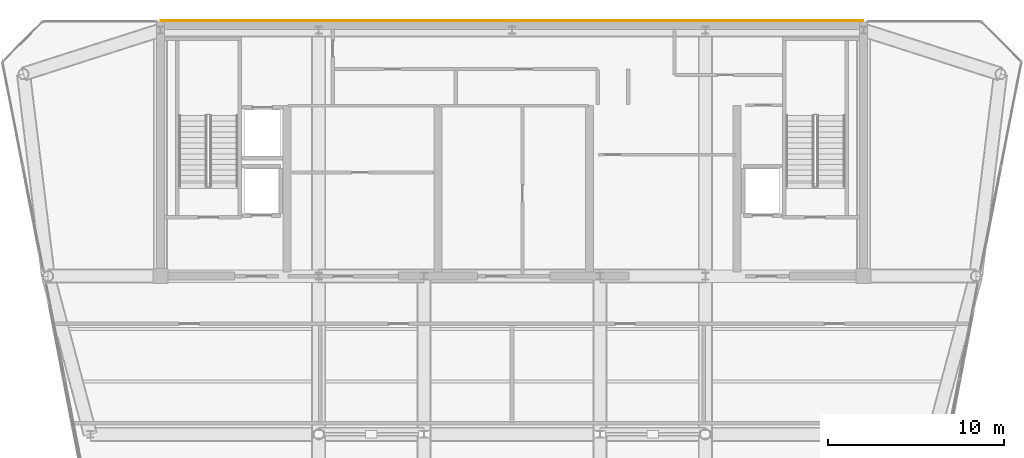
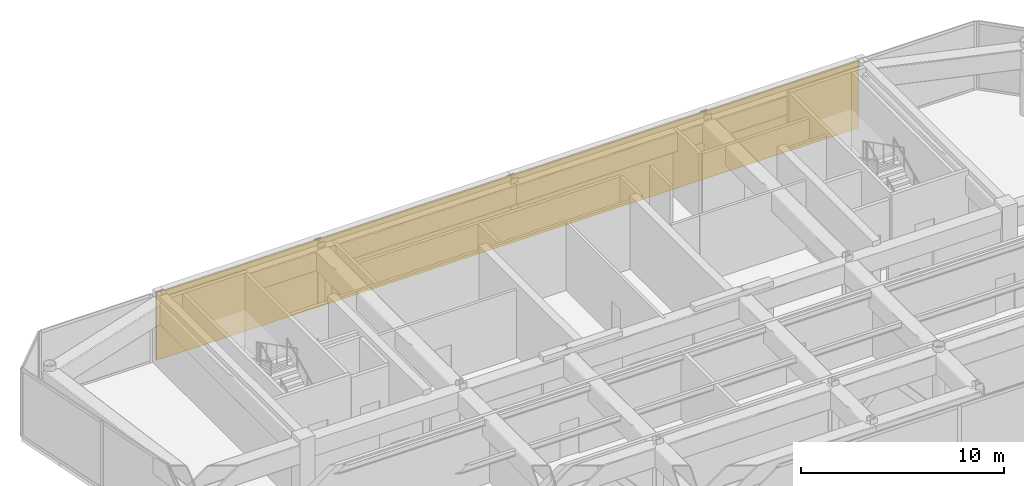
# One storey, part 11 of 12: 1 covering.
"""IFC4 building model written with IfcOpenShell, lengths in metres."""

from ifc_helpers import new_model, si_unit, direction, frame, origin, place, context, subcontext, project, spatial, polyline, outline, extrude, material, layer, layer_set, type_object, element, save


model = new_model("IFC4")

# Units and contexts
model_context = context("Model", 3, precision=1e-05, world=origin(), true_north=direction((0.0, 1.0)))
body_context = subcontext(model_context, "Body", "Model", "MODEL_VIEW")
ifc_project = project(units=[si_unit("LENGTHUNIT", "METRE"), si_unit("AREAUNIT", "SQUARE_METRE"), si_unit("VOLUMEUNIT", "CUBIC_METRE"), si_unit("PLANEANGLEUNIT", "RADIAN"), si_unit("MASSUNIT", "GRAM", prefix="KILO")], contexts=[model_context])

# Site, building, storey
site_placement = place(None, origin())
site = spatial("IfcSite", under=ifc_project, at=site_placement, CompositionType="ELEMENT")
building_placement = place(site_placement, origin())
building = spatial("IfcBuilding", under=site, at=building_placement, Name="Vaeldorn Concourse Tower", CompositionType="ELEMENT")
storey_placement = place(building_placement, frame((0.0, 0.0, 308.39990234375)))
storey = spatial("IfcBuildingStorey", under=building, at=storey_placement, Name="L79", CompositionType="ELEMENT", Elevation=308.39990234375)

# Covering
ifc_material = material(Name="Anodised Bronze Aluminium", Category="aluminium")
ifc_layer = layer(ifc_material, 0.050048828125)
ifc_layer_set = layer_set([ifc_layer], Name="Anodised Bronze Aluminium")
covering_type = type_object("IfcCoveringType", Name="COV-CLAD-BRONZE", PredefinedType="CLADDING", material=ifc_layer_set)
covering_placement = place(storey_placement, origin())
element("IfcCovering", 1, at=covering_placement, inside=storey, type_object=covering_type, Name="Rear Core Bronze Spandrel Cladding L79", PredefinedType="CLADDING", context=body_context, shape_type="SweptSolid", body=[
    extrude(outline(polyline([(14.0, 51.0), (54.0, 51.0), (54.0, 51.050048828125), (14.0, 51.050048828125), (14.0, 51.0)])), origin(), (0.0, 0.0, 1.0), 4.10009765625),
])

save(model, "model.ifc")
